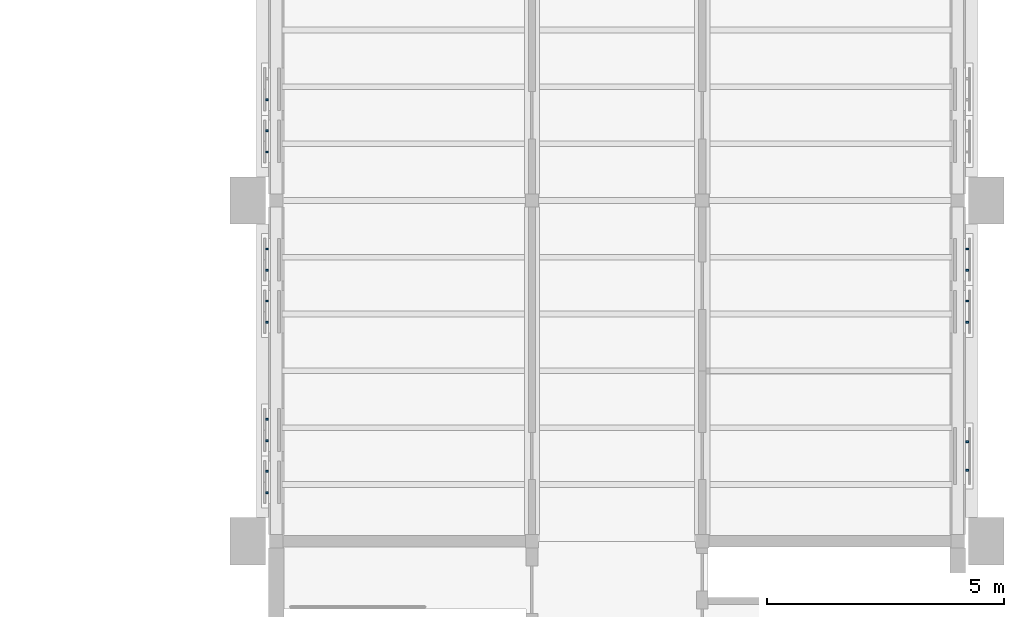
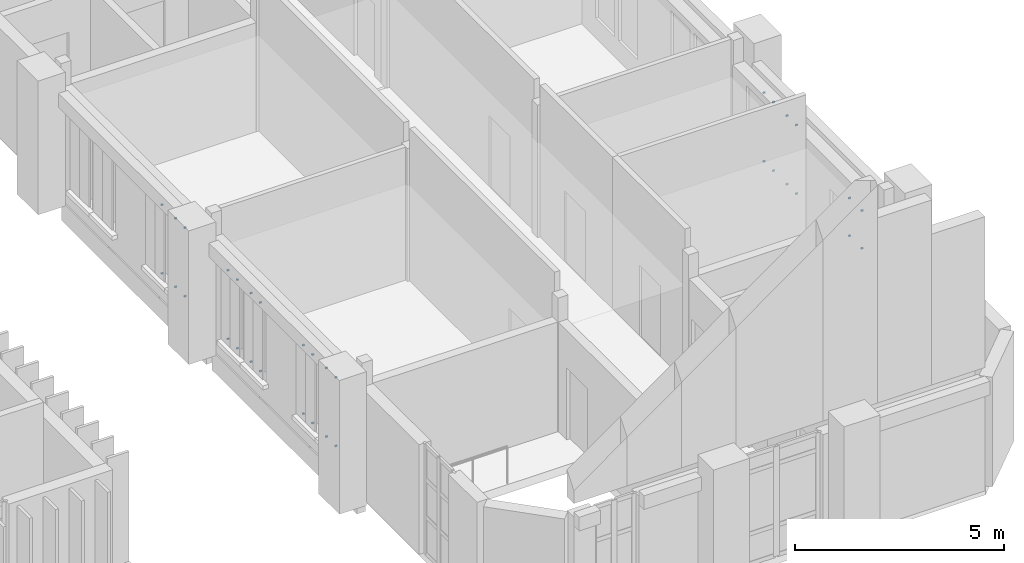
# One storey, part 55 of 71: 34 discrete accessories.
"""IFC4 building model written with IfcOpenShell, lengths in metres."""

from ifc_helpers import new_model, si_unit, direction, frame, origin, origin_2d, place, context, subcontext, project, spatial, rectangle, extrude, material, type_object, element, save


model = new_model("IFC4")

# Units and contexts
model_context = context("Model", 3, precision=1e-05, world=origin(), true_north=direction((0.0, 1.0)))
body_context = subcontext(model_context, "Body", "Model", "MODEL_VIEW")
ifc_project = project(units=[si_unit("LENGTHUNIT", "METRE"), si_unit("AREAUNIT", "SQUARE_METRE"), si_unit("VOLUMEUNIT", "CUBIC_METRE"), si_unit("PLANEANGLEUNIT", "RADIAN"), si_unit("MASSUNIT", "GRAM", prefix="KILO")], contexts=[model_context])

# Site, building, storey
site_placement = place(None, origin())
site = spatial("IfcSite", under=ifc_project, at=site_placement, CompositionType="ELEMENT")
building_placement = place(site_placement, origin())
building = spatial("IfcBuilding", under=site, at=building_placement, Name="Mazhai Court Health Centre", CompositionType="ELEMENT")
storey_placement = place(building_placement, frame((0.0, 0.0, 10.199951171875)))
storey = spatial("IfcBuildingStorey", under=building, at=storey_placement, Name="L02", CompositionType="ELEMENT", Elevation=10.199951171875)

# Discrete accessories
ifc_material = material(Name="Steel IS 2062 E250", Category="steel")
discrete_accessory_type = type_object("IfcDiscreteAccessoryType", Name="BRACKET 40", PredefinedType="BRACKET", material=ifc_material)
for number, where, z_axis, x_axis, name in (
    (1, (135.60498046875, 14.425048828125, 0.780029296875), (0.0, 0.0, 1.0), (0.0, 1.0, 0.0), "BR-V6-L02-A10aa0"),
    (2, (135.60498046875, 14.425048828125, 2.780029296875), (0.0, 0.0, 1.0), (0.0, 1.0, 0.0), "BR-V6-L02-A10aa1"),
    (3, (135.60498046875, 14.875, 0.780029296875), (0.0, 0.0, 1.0), (0.0, 1.0, 0.0), "BR-V6-L02-A10ab0"),
    (4, (135.60498046875, 14.875, 2.780029296875), (0.0, 0.0, 1.0), (0.0, 1.0, 0.0), "BR-V6-L02-A10ab1"),
    (5, (135.60498046875, 15.52490234375, 0.780029296875), (0.0, 0.0, 1.0), (0.0, 1.0, 0.0), "BR-V6-L02-A10ba0"),
    (6, (135.60498046875, 15.52490234375, 2.780029296875), (0.0, 0.0, 1.0), (0.0, 1.0, 0.0), "BR-V6-L02-A10ba1"),
    (7, (135.60498046875, 15.97509765625, 0.780029296875), (0.0, 0.0, 1.0), (0.0, 1.0, 0.0), "BR-V6-L02-A10bb0"),
    (8, (135.60498046875, 15.97509765625, 2.780029296875), (0.0, 0.0, 1.0), (0.0, 1.0, 0.0), "BR-V6-L02-A10bb1"),
    (9, (135.60498046875, 18.02490234375, 0.780029296875), (0.0, 0.0, 1.0), (0.0, 1.0, 0.0), "BR-V6-L02-A11aa0"),
    (10, (135.60498046875, 18.02490234375, 2.780029296875), (0.0, 0.0, 1.0), (0.0, 1.0, 0.0), "BR-V6-L02-A11aa1"),
    (11, (135.60498046875, 18.47509765625, 0.780029296875), (0.0, 0.0, 1.0), (0.0, 1.0, 0.0), "BR-V6-L02-A11ab0"),
    (12, (135.60498046875, 18.47509765625, 2.780029296875), (0.0, 0.0, 1.0), (0.0, 1.0, 0.0), "BR-V6-L02-A11ab1"),
    (13, (135.60498046875, 19.125, 0.780029296875), (0.0, 0.0, 1.0), (0.0, 1.0, 0.0), "BR-V6-L02-A11ba0"),
    (14, (135.60498046875, 19.125, 2.780029296875), (0.0, 0.0, 1.0), (0.0, 1.0, 0.0), "BR-V6-L02-A11ba1"),
    (15, (135.60498046875, 19.574951171875, 0.780029296875), (0.0, 0.0, 1.0), (0.0, 1.0, 0.0), "BR-V6-L02-A11bb0"),
    (16, (135.60498046875, 19.574951171875, 2.780029296875), (0.0, 0.0, 1.0), (0.0, 1.0, 0.0), "BR-V6-L02-A11bb1"),
    (17, (135.60498046875, 21.625, 0.780029296875), (0.0, 0.0, 1.0), (0.0, 1.0, 0.0), "BR-V6-L02-A20aa0"),
    (18, (135.60498046875, 21.625, 2.780029296875), (0.0, 0.0, 1.0), (0.0, 1.0, 0.0), "BR-V6-L02-A20aa1"),
    (19, (135.60498046875, 22.074951171875, 0.780029296875), (0.0, 0.0, 1.0), (0.0, 1.0, 0.0), "BR-V6-L02-A20ab0"),
    (20, (135.60498046875, 22.074951171875, 2.780029296875), (0.0, 0.0, 1.0), (0.0, 1.0, 0.0), "BR-V6-L02-A20ab1"),
    (21, (135.60498046875, 22.72509765625, 0.780029296875), (0.0, 0.0, 1.0), (0.0, 1.0, 0.0), "BR-V6-L02-A20ba0"),
    (22, (135.60498046875, 22.72509765625, 2.780029296875), (0.0, 0.0, 1.0), (0.0, 1.0, 0.0), "BR-V6-L02-A20ba1"),
    (23, (150.39501953125, 14.89990234375, 1.080078125), (0.0, 0.0, 1.0), (0.0, 1.0, 0.0), "BR-V6-L02-B10a0"),
    (24, (150.39501953125, 14.89990234375, 2.179931640625), (0.0, 0.0, 1.0), (0.0, 1.0, 0.0), "BR-V6-L02-B10a1"),
    (25, (150.39501953125, 15.5, 1.080078125), (0.0, 0.0, 1.0), (0.0, 1.0, 0.0), "BR-V6-L02-B10b0"),
    (26, (150.39501953125, 15.5, 2.179931640625), (0.0, 0.0, 1.0), (0.0, 1.0, 0.0), "BR-V6-L02-B10b1"),
    (27, (150.39501953125, 18.02490234375, 0.780029296875), (0.0, 0.0, 1.0), (0.0, 1.0, 0.0), "BR-V6-L02-B11aa0"),
    (28, (150.39501953125, 18.02490234375, 2.780029296875), (0.0, 0.0, 1.0), (0.0, 1.0, 0.0), "BR-V6-L02-B11aa1"),
    (29, (150.39501953125, 18.47509765625, 0.780029296875), (0.0, 0.0, 1.0), (0.0, 1.0, 0.0), "BR-V6-L02-B11ab0"),
    (30, (150.39501953125, 18.47509765625, 2.780029296875), (0.0, 0.0, 1.0), (0.0, 1.0, 0.0), "BR-V6-L02-B11ab1"),
    (31, (150.39501953125, 19.125, 0.780029296875), (0.0, 0.0, 1.0), (0.0, 1.0, 0.0), "BR-V6-L02-B11ba0"),
    (32, (150.39501953125, 19.125, 2.780029296875), (0.0, 0.0, 1.0), (0.0, 1.0, 0.0), "BR-V6-L02-B11ba1"),
    (33, (150.39501953125, 19.574951171875, 0.780029296875), (0.0, 0.0, 1.0), (0.0, 1.0, 0.0), "BR-V6-L02-B11bb0"),
    (34, (150.39501953125, 19.574951171875, 2.780029296875), (0.0, 0.0, 1.0), (0.0, 1.0, 0.0), "BR-V6-L02-B11bb1"),
):
    element("IfcDiscreteAccessory", number, at=place(storey_placement, frame(where, z_axis=z_axis, x_axis=x_axis)), inside=storey, type_object=discrete_accessory_type, Name=name, PredefinedType="BRACKET", context=body_context, shape_type="SweptSolid", body=[
        extrude(rectangle(XDim=0.0400390625, YDim=0.06005859375, at=origin_2d()), origin(), (0.0, 0.0, 1.0), 0.0400390625),
    ])

save(model, "model.ifc")
